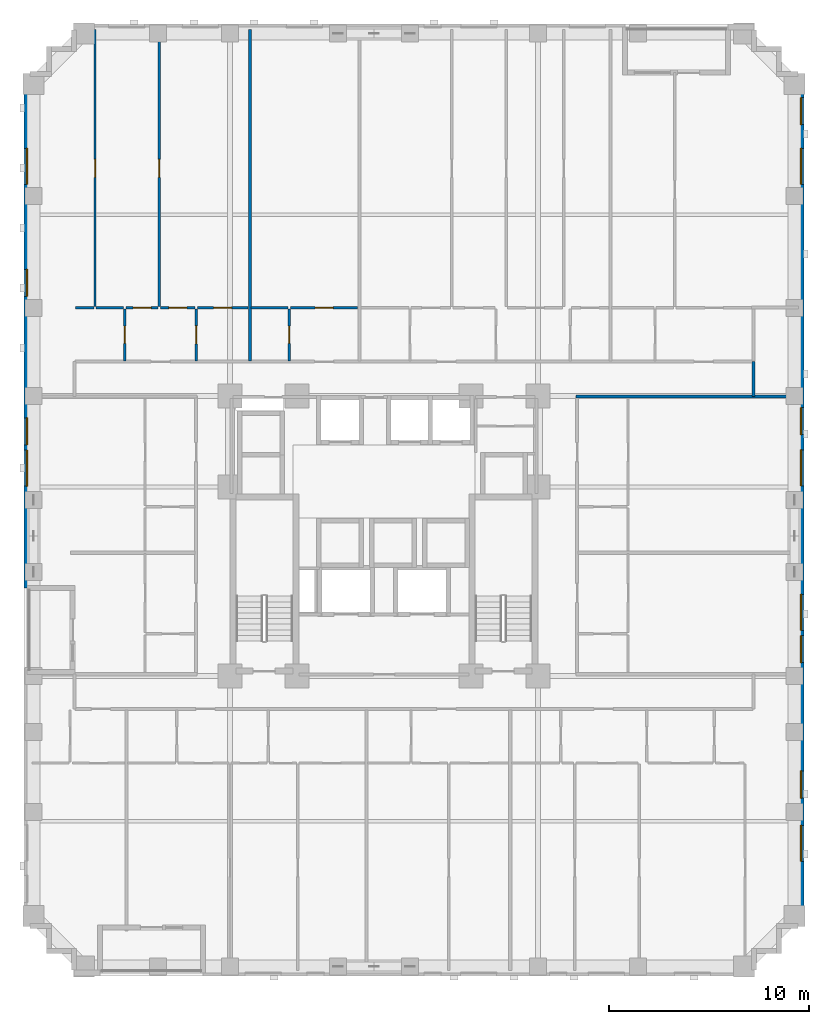
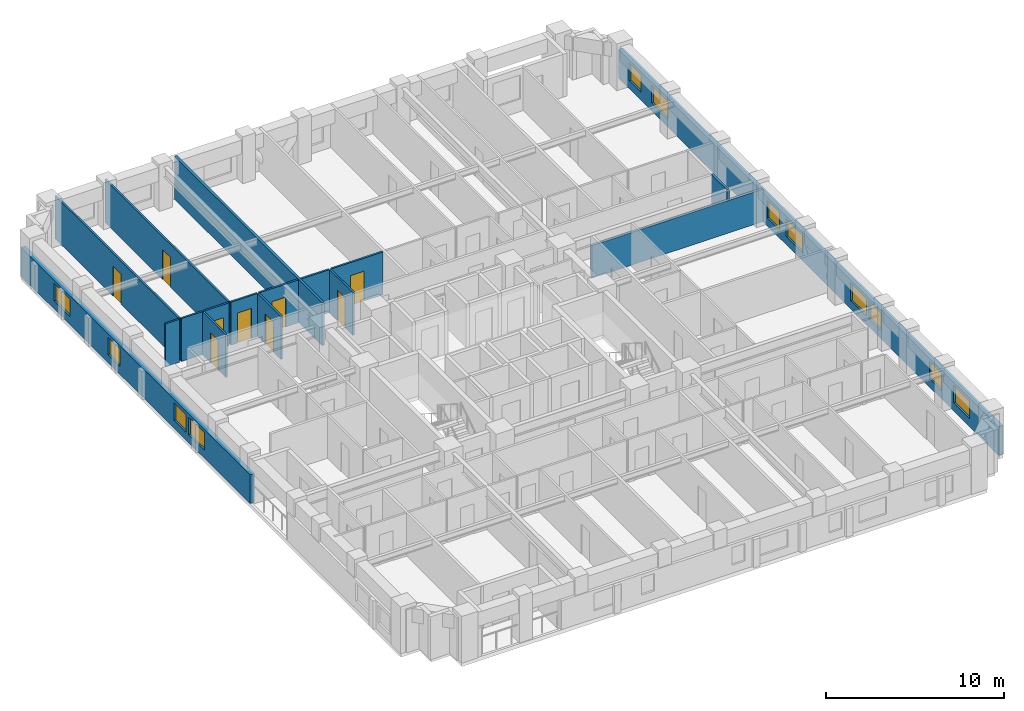
# One storey, part 7 of 14: 17 walls, 12 windows, 9 doors, 21 openings.
"""IFC4 building model written with IfcOpenShell, lengths in metres."""

from ifc_helpers import new_model, si_unit, derived_unit, direction, frame, frame_2d, origin, place, context, subcontext, project, spatial, rectangle, extrude, material, layer, layer_set, type_object, element, fill, save


model = new_model("IFC4")

# Units and contexts
model_context = context("Model", 3, precision=1e-05, world=origin(), true_north=direction((0.0, 1.0)))
body_context = subcontext(model_context, "Body", "Model", "MODEL_VIEW")
ifc_project = project(units=[si_unit("LENGTHUNIT", "METRE"), si_unit("AREAUNIT", "SQUARE_METRE"), si_unit("VOLUMEUNIT", "CUBIC_METRE"), si_unit("PLANEANGLEUNIT", "RADIAN"), si_unit("MASSUNIT", "GRAM", prefix="KILO"), derived_unit("THERMALTRANSMITTANCEUNIT", [(si_unit("MASSUNIT", "GRAM", prefix="KILO"), 1), (si_unit("TIMEUNIT", "SECOND"), -3), (si_unit("THERMODYNAMICTEMPERATUREUNIT", "KELVIN"), -1)])], contexts=[model_context])

# Site, building, storey
site_placement = place(None, origin())
site = spatial("IfcSite", under=ifc_project, at=site_placement, CompositionType="ELEMENT")
building_placement = place(site_placement, origin())
building = spatial("IfcBuilding", under=site, at=building_placement, Name="Korrvale Station Residences", CompositionType="ELEMENT")
storey_placement = place(building_placement, frame((0.0, 0.0, 57.800048828125)))
storey = spatial("IfcBuildingStorey", under=building, at=storey_placement, Name="L15", CompositionType="ELEMENT", Elevation=57.800048828125)

# Wall, openings, windows
ifc_material_1 = material(Name="Precast concrete C45/55", Category="concrete")
ifc_layer_1 = layer(ifc_material_1, 0.300048828125, Name="Precast concrete C45/55")
ifc_layer_set_1 = layer_set([ifc_layer_1], Name="Precast concrete C45/55")
wall_type_1 = type_object("IfcWallType", Name="WAL-EXT-PC300", PredefinedType="SOLIDWALL", material=ifc_layer_set_1)
wall_1_placement = place(storey_placement, frame((46.35009765625, 45.10009765625, 0.0), z_axis=(0.0, 0.0, 1.0), x_axis=(0.0, -1.0, 0.0)))
wall_1 = element("IfcWall", 1, at=wall_1_placement, inside=storey, type_object=wall_type_1, Name="L15 East Exterior Precast Wall 1", PredefinedType="SOLIDWALL", context=body_context, shape_type="SweptSolid", body=[
    extrude(rectangle(XDim=42.60009765625, YDim=0.300048828125, at=frame_2d((21.300048828125, 0.0))), origin(), (0.0, 0.0, 1.0), 1.974853515625),
])
opening_1_placement = place(wall_1_placement, frame((37.574951171875, 0.0, 0.550048828125)))
opening_1 = element("IfcOpeningElement", 2, at=opening_1_placement, cuts=wall_1, Name="Opening W-09", PredefinedType="OPENING", context=body_context, shape_type="SweptSolid", body=[
    extrude(rectangle(XDim=1.800048828125, YDim=1.199951171875, at=frame_2d((0.89990234375, 0.60009765625))), frame((0.0, 0.16015625, 0.0), z_axis=(0.0, -1.0, 0.0), x_axis=(1.0, 0.0, 0.0)), (0.0, 0.0, 1.0), 0.320068359375),
])
opening_2_placement = place(wall_1_placement, frame((34.85009765625, 0.0, 0.550048828125)))
opening_2 = element("IfcOpeningElement", 3, at=opening_2_placement, cuts=wall_1, Name="Opening W-10", PredefinedType="OPENING", context=body_context, shape_type="SweptSolid", body=[
    extrude(rectangle(XDim=1.35009765625, YDim=1.199951171875, at=frame_2d((0.675048828125, 0.60009765625))), frame((0.0, 0.16015625, 0.0), z_axis=(0.0, -1.0, 0.0), x_axis=(1.0, 0.0, 0.0)), (0.0, 0.0, 1.0), 0.320068359375),
])
opening_3_placement = place(wall_1_placement, frame((3.715087890625, 0.0, 0.550048828125)))
opening_3 = element("IfcOpeningElement", 4, at=opening_3_placement, cuts=wall_1, Name="Opening W-09", PredefinedType="OPENING", context=body_context, shape_type="SweptSolid", body=[
    extrude(rectangle(XDim=1.800048828125, YDim=1.199951171875, at=frame_2d((0.89990234375, 0.60009765625))), frame((0.0, 0.16015625, 0.0), z_axis=(0.0, -1.0, 0.0), x_axis=(1.0, 0.0, 0.0)), (0.0, 0.0, 1.0), 0.320068359375),
])
opening_4_placement = place(wall_1_placement, frame((1.18505859375, 0.0, 0.550048828125)))
opening_4 = element("IfcOpeningElement", 5, at=opening_4_placement, cuts=wall_1, Name="Opening W-10", PredefinedType="OPENING", context=body_context, shape_type="SweptSolid", body=[
    extrude(rectangle(XDim=1.35009765625, YDim=1.199951171875, at=frame_2d((0.675048828125, 0.60009765625))), frame((0.0, 0.16015625, 0.0), z_axis=(0.0, -1.0, 0.0), x_axis=(1.0, 0.0, 0.0)), (0.0, 0.0, 1.0), 0.320068359375),
])
opening_5_placement = place(wall_1_placement, frame((26.02490234375, 0.0, 0.550048828125)))
opening_5 = element("IfcOpeningElement", 6, at=opening_5_placement, cuts=wall_1, Name="Opening W-09", PredefinedType="OPENING", context=body_context, shape_type="SweptSolid", body=[
    extrude(rectangle(XDim=1.800048828125, YDim=1.199951171875, at=frame_2d((0.89990234375, 0.60009765625))), frame((0.0, 0.16015625, 0.0), z_axis=(0.0, -1.0, 0.0), x_axis=(1.0, 0.0, 0.0)), (0.0, 0.0, 1.0), 0.320068359375),
])
opening_6_placement = place(wall_1_placement, frame((28.0849609375, 0.0, 0.550048828125)))
opening_6 = element("IfcOpeningElement", 7, at=opening_6_placement, cuts=wall_1, Name="Opening W-10", PredefinedType="OPENING", context=body_context, shape_type="SweptSolid", body=[
    extrude(rectangle(XDim=1.35009765625, YDim=1.199951171875, at=frame_2d((0.675048828125, 0.60009765625))), frame((0.0, 0.16015625, 0.0), z_axis=(0.0, -1.0, 0.0), x_axis=(1.0, 0.0, 0.0)), (0.0, 0.0, 1.0), 0.320068359375),
])
opening_7_placement = place(wall_1_placement, frame((18.800048828125, 0.0, 0.550048828125)))
opening_7 = element("IfcOpeningElement", 8, at=opening_7_placement, cuts=wall_1, Name="Opening W-09", PredefinedType="OPENING", context=body_context, shape_type="SweptSolid", body=[
    extrude(rectangle(XDim=1.800048828125, YDim=1.199951171875, at=frame_2d((0.89990234375, 0.60009765625))), frame((0.0, 0.16015625, 0.0), z_axis=(0.0, -1.0, 0.0), x_axis=(1.0, 0.0, 0.0)), (0.0, 0.0, 1.0), 0.320068359375),
])
opening_8_placement = place(wall_1_placement, frame((16.68505859375, 0.0, 0.550048828125)))
opening_8 = element("IfcOpeningElement", 9, at=opening_8_placement, cuts=wall_1, Name="Opening W-10", PredefinedType="OPENING", context=body_context, shape_type="SweptSolid", body=[
    extrude(rectangle(XDim=1.35009765625, YDim=1.199951171875, at=frame_2d((0.675048828125, 0.60009765625))), frame((0.0, 0.16015625, 0.0), z_axis=(0.0, -1.0, 0.0), x_axis=(1.0, 0.0, 0.0)), (0.0, 0.0, 1.0), 0.320068359375),
])
ifc_material_2 = material(Name="Thermally broken aluminium frame with triple low-e glazing", Category="aluminium")
window_type_1 = type_object("IfcWindowType", Name="WIN-W09", PartitioningType="DOUBLE_PANEL_VERTICAL", PredefinedType="WINDOW", material=ifc_material_2)
window_1_placement = place(opening_1_placement, origin())
window_1 = element("IfcWindow", 10, at=window_1_placement, inside=storey, type_object=window_type_1, Name="L15 Punched Window 11", OverallHeight=1.199951171875, OverallWidth=1.800048828125, PartitioningType="DOUBLE_PANEL_VERTICAL", PredefinedType="WINDOW", context=body_context, shape_type="SweptSolid", body=[
    extrude(rectangle(XDim=1.800048828125, YDim=1.199951171875, at=frame_2d((0.89990234375, 0.60009765625))), frame((0.0, 0.030029296875, 0.0), z_axis=(0.0, -1.0, 0.0), x_axis=(1.0, 0.0, 0.0)), (0.0, 0.0, 1.0), 0.06005859375),
])
fill(opening_1, window_1)
window_2_placement = place(opening_3_placement, origin())
window_2 = element("IfcWindow", 11, at=window_2_placement, inside=storey, type_object=window_type_1, Name="L15 Punched Window 22", OverallHeight=1.199951171875, OverallWidth=1.800048828125, PartitioningType="DOUBLE_PANEL_VERTICAL", PredefinedType="WINDOW", context=body_context, shape_type="SweptSolid", body=[
    extrude(rectangle(XDim=1.800048828125, YDim=1.199951171875, at=frame_2d((0.89990234375, 0.60009765625))), frame((0.0, 0.030029296875, 0.0), z_axis=(0.0, -1.0, 0.0), x_axis=(1.0, 0.0, 0.0)), (0.0, 0.0, 1.0), 0.06005859375),
])
fill(opening_3, window_2)
window_3_placement = place(opening_5_placement, origin())
window_3 = element("IfcWindow", 12, at=window_3_placement, inside=storey, type_object=window_type_1, Name="L15 Punched Window 27", OverallHeight=1.199951171875, OverallWidth=1.800048828125, PartitioningType="DOUBLE_PANEL_VERTICAL", PredefinedType="WINDOW", context=body_context, shape_type="SweptSolid", body=[
    extrude(rectangle(XDim=1.800048828125, YDim=1.199951171875, at=frame_2d((0.89990234375, 0.60009765625))), frame((0.0, 0.030029296875, 0.0), z_axis=(0.0, -1.0, 0.0), x_axis=(1.0, 0.0, 0.0)), (0.0, 0.0, 1.0), 0.06005859375),
])
fill(opening_5, window_3)
window_4_placement = place(opening_7_placement, origin())
window_4 = element("IfcWindow", 13, at=window_4_placement, inside=storey, type_object=window_type_1, Name="L15 Punched Window 29", OverallHeight=1.199951171875, OverallWidth=1.800048828125, PartitioningType="DOUBLE_PANEL_VERTICAL", PredefinedType="WINDOW", context=body_context, shape_type="SweptSolid", body=[
    extrude(rectangle(XDim=1.800048828125, YDim=1.199951171875, at=frame_2d((0.89990234375, 0.60009765625))), frame((0.0, 0.030029296875, 0.0), z_axis=(0.0, -1.0, 0.0), x_axis=(1.0, 0.0, 0.0)), (0.0, 0.0, 1.0), 0.06005859375),
])
fill(opening_7, window_4)
window_type_2 = type_object("IfcWindowType", Name="WIN-W10", PartitioningType="SINGLE_PANEL", PredefinedType="WINDOW", material=ifc_material_2)
window_5_placement = place(opening_2_placement, origin())
window_5 = element("IfcWindow", 14, at=window_5_placement, inside=storey, type_object=window_type_2, Name="L15 Punched Window 12", OverallHeight=1.199951171875, OverallWidth=1.35009765625, PartitioningType="SINGLE_PANEL", PredefinedType="WINDOW", context=body_context, shape_type="SweptSolid", body=[
    extrude(rectangle(XDim=1.35009765625, YDim=1.199951171875, at=frame_2d((0.675048828125, 0.60009765625))), frame((0.0, 0.030029296875, 0.0), z_axis=(0.0, -1.0, 0.0), x_axis=(1.0, 0.0, 0.0)), (0.0, 0.0, 1.0), 0.06005859375),
])
fill(opening_2, window_5)
window_6_placement = place(opening_4_placement, origin())
window_6 = element("IfcWindow", 15, at=window_6_placement, inside=storey, type_object=window_type_2, Name="L15 Punched Window 23", OverallHeight=1.199951171875, OverallWidth=1.35009765625, PartitioningType="SINGLE_PANEL", PredefinedType="WINDOW", context=body_context, shape_type="SweptSolid", body=[
    extrude(rectangle(XDim=1.35009765625, YDim=1.199951171875, at=frame_2d((0.675048828125, 0.60009765625))), frame((0.0, 0.030029296875, 0.0), z_axis=(0.0, -1.0, 0.0), x_axis=(1.0, 0.0, 0.0)), (0.0, 0.0, 1.0), 0.06005859375),
])
fill(opening_4, window_6)
window_7_placement = place(opening_6_placement, origin())
window_7 = element("IfcWindow", 16, at=window_7_placement, inside=storey, type_object=window_type_2, Name="L15 Punched Window 28", OverallHeight=1.199951171875, OverallWidth=1.35009765625, PartitioningType="SINGLE_PANEL", PredefinedType="WINDOW", context=body_context, shape_type="SweptSolid", body=[
    extrude(rectangle(XDim=1.35009765625, YDim=1.199951171875, at=frame_2d((0.675048828125, 0.60009765625))), frame((0.0, 0.030029296875, 0.0), z_axis=(0.0, -1.0, 0.0), x_axis=(1.0, 0.0, 0.0)), (0.0, 0.0, 1.0), 0.06005859375),
])
fill(opening_6, window_7)
window_8_placement = place(opening_8_placement, origin())
window_8 = element("IfcWindow", 17, at=window_8_placement, inside=storey, type_object=window_type_2, Name="L15 Punched Window 30", OverallHeight=1.199951171875, OverallWidth=1.35009765625, PartitioningType="SINGLE_PANEL", PredefinedType="WINDOW", context=body_context, shape_type="SweptSolid", body=[
    extrude(rectangle(XDim=1.35009765625, YDim=1.199951171875, at=frame_2d((0.675048828125, 0.60009765625))), frame((0.0, 0.030029296875, 0.0), z_axis=(0.0, -1.0, 0.0), x_axis=(1.0, 0.0, 0.0)), (0.0, 0.0, 1.0), 0.06005859375),
])
fill(opening_8, window_8)

wall_2_placement = place(storey_placement, frame((7.64990234375, 19.39990234375, 0.0), z_axis=(0.0, 0.0, 1.0), x_axis=(0.0, 1.0, 0.0)))
wall_2 = element("IfcWall", 18, at=wall_2_placement, inside=storey, type_object=wall_type_1, Name="L15 West Exterior Precast Wall 2", PredefinedType="SOLIDWALL", context=body_context, shape_type="SweptSolid", body=[
    extrude(rectangle(XDim=25.7001953125, YDim=0.300048828125, at=frame_2d((12.85009765625, 0.0))), origin(), (0.0, 0.0, 1.0), 1.974853515625),
])
opening_9_placement = place(wall_2_placement, frame((20.18505859375, 0.0, 0.550048828125)))
opening_9 = element("IfcOpeningElement", 19, at=opening_9_placement, cuts=wall_2, Name="Opening W-09", PredefinedType="OPENING", context=body_context, shape_type="SweptSolid", body=[
    extrude(rectangle(XDim=1.800048828125, YDim=1.199951171875, at=frame_2d((0.89990234375, 0.60009765625))), frame((0.0, 0.16015625, 0.0), z_axis=(0.0, -1.0, 0.0), x_axis=(1.0, 0.0, 0.0)), (0.0, 0.0, 1.0), 0.320068359375),
])
opening_10_placement = place(wall_2_placement, frame((14.5849609375, 0.0, 0.550048828125)))
opening_10 = element("IfcOpeningElement", 20, at=opening_10_placement, cuts=wall_2, Name="Opening W-10", PredefinedType="OPENING", context=body_context, shape_type="SweptSolid", body=[
    extrude(rectangle(XDim=1.35009765625, YDim=1.199951171875, at=frame_2d((0.675048828125, 0.60009765625))), frame((0.0, 0.16015625, 0.0), z_axis=(0.0, -1.0, 0.0), x_axis=(1.0, 0.0, 0.0)), (0.0, 0.0, 1.0), 0.320068359375),
])
opening_11_placement = place(wall_2_placement, frame((5.10009765625, 0.0, 0.550048828125)))
opening_11 = element("IfcOpeningElement", 21, at=opening_11_placement, cuts=wall_2, Name="Opening W-09", PredefinedType="OPENING", context=body_context, shape_type="SweptSolid", body=[
    extrude(rectangle(XDim=1.800048828125, YDim=1.199951171875, at=frame_2d((0.89990234375, 0.60009765625))), frame((0.0, 0.16015625, 0.0), z_axis=(0.0, -1.0, 0.0), x_axis=(1.0, 0.0, 0.0)), (0.0, 0.0, 1.0), 0.320068359375),
])
opening_12_placement = place(wall_2_placement, frame((7.159912109375, 0.0, 0.550048828125)))
opening_12 = element("IfcOpeningElement", 22, at=opening_12_placement, cuts=wall_2, Name="Opening W-10", PredefinedType="OPENING", context=body_context, shape_type="SweptSolid", body=[
    extrude(rectangle(XDim=1.35009765625, YDim=1.199951171875, at=frame_2d((0.675048828125, 0.60009765625))), frame((0.0, 0.16015625, 0.0), z_axis=(0.0, -1.0, 0.0), x_axis=(1.0, 0.0, 0.0)), (0.0, 0.0, 1.0), 0.320068359375),
])
window_9_placement = place(opening_9_placement, origin())
window_9 = element("IfcWindow", 23, at=window_9_placement, inside=storey, type_object=window_type_1, Name="L15 Punched Window 13", OverallHeight=1.199951171875, OverallWidth=1.800048828125, PartitioningType="DOUBLE_PANEL_VERTICAL", PredefinedType="WINDOW", context=body_context, shape_type="SweptSolid", body=[
    extrude(rectangle(XDim=1.800048828125, YDim=1.199951171875, at=frame_2d((0.89990234375, 0.60009765625))), frame((0.0, 0.030029296875, 0.0), z_axis=(0.0, -1.0, 0.0), x_axis=(1.0, 0.0, 0.0)), (0.0, 0.0, 1.0), 0.06005859375),
])
fill(opening_9, window_9)
window_10_placement = place(opening_11_placement, origin())
window_10 = element("IfcWindow", 24, at=window_10_placement, inside=storey, type_object=window_type_1, Name="L15 Punched Window 25", OverallHeight=1.199951171875, OverallWidth=1.800048828125, PartitioningType="DOUBLE_PANEL_VERTICAL", PredefinedType="WINDOW", context=body_context, shape_type="SweptSolid", body=[
    extrude(rectangle(XDim=1.800048828125, YDim=1.199951171875, at=frame_2d((0.89990234375, 0.60009765625))), frame((0.0, 0.030029296875, 0.0), z_axis=(0.0, -1.0, 0.0), x_axis=(1.0, 0.0, 0.0)), (0.0, 0.0, 1.0), 0.06005859375),
])
fill(opening_11, window_10)
window_11_placement = place(opening_10_placement, origin())
window_11 = element("IfcWindow", 25, at=window_11_placement, inside=storey, type_object=window_type_2, Name="L15 Punched Window 14", OverallHeight=1.199951171875, OverallWidth=1.35009765625, PartitioningType="SINGLE_PANEL", PredefinedType="WINDOW", context=body_context, shape_type="SweptSolid", body=[
    extrude(rectangle(XDim=1.35009765625, YDim=1.199951171875, at=frame_2d((0.675048828125, 0.60009765625))), frame((0.0, 0.030029296875, 0.0), z_axis=(0.0, -1.0, 0.0), x_axis=(1.0, 0.0, 0.0)), (0.0, 0.0, 1.0), 0.06005859375),
])
fill(opening_10, window_11)
window_12_placement = place(opening_12_placement, origin())
window_12 = element("IfcWindow", 26, at=window_12_placement, inside=storey, type_object=window_type_2, Name="L15 Punched Window 26", OverallHeight=1.199951171875, OverallWidth=1.35009765625, PartitioningType="SINGLE_PANEL", PredefinedType="WINDOW", context=body_context, shape_type="SweptSolid", body=[
    extrude(rectangle(XDim=1.35009765625, YDim=1.199951171875, at=frame_2d((0.675048828125, 0.60009765625))), frame((0.0, 0.030029296875, 0.0), z_axis=(0.0, -1.0, 0.0), x_axis=(1.0, 0.0, 0.0)), (0.0, 0.0, 1.0), 0.06005859375),
])
fill(opening_12, window_12)

# Wall, opening, door
ifc_material_3 = material(Name="Acoustic steel-stud gypsum board partition", Category="steel")
ifc_layer_2 = layer(ifc_material_3, 0.1201171875, Name="Acoustic steel-stud gypsum board partition")
ifc_layer_set_2 = layer_set([ifc_layer_2], Name="Acoustic steel-stud gypsum board partition")
wall_type_2 = type_object("IfcWallType", Name="WAL-PART-125", PredefinedType="PARTITIONING", material=ifc_layer_set_2)
wall_3_placement = place(storey_placement, frame((12.5400390625, 30.760009765625, 0.0), z_axis=(0.0, 0.0, 1.0), x_axis=(0.0, 1.0, 0.0)))
wall_3 = element("IfcWall", 27, at=wall_3_placement, inside=storey, type_object=wall_type_2, Name="L15 Suite Partition U05-V01", PredefinedType="PARTITIONING", context=body_context, shape_type="SweptSolid", body=[
    extrude(rectangle(XDim=2.60009765625, YDim=0.1201171875, at=frame_2d((1.300048828125, 0.0))), origin(), (0.0, 0.0, 1.0), 2.93994140625),
])
opening_13_placement = place(wall_3_placement, frame((0.8701171875, 0.0, 0.0)))
opening_13 = element("IfcOpeningElement", 28, at=opening_13_placement, cuts=wall_3, Name="Opening DB-860", PredefinedType="OPENING", context=body_context, shape_type="SweptSolid", body=[
    extrude(rectangle(XDim=0.860107421875, YDim=2.050048828125, at=frame_2d((0.43017578125, 1.02490234375))), frame((0.0, 0.070068359375, 0.0), z_axis=(0.0, -1.0, 0.0), x_axis=(1.0, 0.0, 0.0)), (0.0, 0.0, 1.0), 0.14013671875),
])
ifc_material_4 = material(Name="Moisture-resistant solid-core bathroom door", Category="timber")
door_type_1 = type_object("IfcDoorType", Name="DR-BATH-860", OperationType="NOTDEFINED", PredefinedType="DOOR", material=ifc_material_4)
door_1_placement = place(opening_13_placement, origin())
door_1 = element("IfcDoor", 29, at=door_1_placement, inside=storey, type_object=door_type_1, Name="L15 Studio Apartment L15-U05 Bathroom Door", OperationType="SINGLE_SWING_LEFT", OverallHeight=2.050048828125, OverallWidth=0.860107421875, PredefinedType="DOOR", context=body_context, shape_type="SweptSolid", body=[
    extrude(rectangle(XDim=0.860107421875, YDim=2.050048828125, at=frame_2d((0.43017578125, 1.02490234375))), frame((0.0, 0.02490234375, 0.0), z_axis=(0.0, -1.0, 0.0), x_axis=(1.0, 0.0, 0.0)), (0.0, 0.0, 1.0), 0.050048828125),
])
fill(opening_13, door_1)

# Walls
wall_4_placement = place(storey_placement, frame((10.080078125, 33.419921875, 0.0), z_axis=(0.0, 0.0, 1.0), x_axis=(1.0, 0.0, 0.0)))
element("IfcWall", 30, at=wall_4_placement, inside=storey, type_object=wall_type_2, Name="L15 Suite Partition U05-H03", PredefinedType="PARTITIONING", context=body_context, shape_type="SweptSolid", body=[
    extrude(rectangle(XDim=0.909912109375, YDim=0.1201171875, at=frame_2d((0.455078125, 0.0))), origin(), (0.0, 0.0, 1.0), 2.93994140625),
])
wall_5_placement = place(storey_placement, frame((11.110107421875, 33.419921875, 0.0), z_axis=(0.0, 0.0, 1.0), x_axis=(1.0, 0.0, 0.0)))
element("IfcWall", 31, at=wall_5_placement, inside=storey, type_object=wall_type_2, Name="L15 Suite Partition U05-H04", PredefinedType="PARTITIONING", context=body_context, shape_type="SweptSolid", body=[
    extrude(rectangle(XDim=1.369873046875, YDim=0.1201171875, at=frame_2d((0.68505859375, 0.0))), origin(), (0.0, 0.0, 1.0), 2.93994140625),
])

# Wall, opening, door
wall_6_placement = place(storey_placement, frame((16.110107421875, 30.760009765625, 0.0), z_axis=(0.0, 0.0, 1.0), x_axis=(0.0, 1.0, 0.0)))
wall_6 = element("IfcWall", 32, at=wall_6_placement, inside=storey, type_object=wall_type_2, Name="L15 Suite Partition U05-V12", PredefinedType="PARTITIONING", context=body_context, shape_type="SweptSolid", body=[
    extrude(rectangle(XDim=2.60009765625, YDim=0.1201171875, at=frame_2d((1.300048828125, 0.0))), origin(), (0.0, 0.0, 1.0), 2.93994140625),
])
opening_14_placement = place(wall_6_placement, frame((0.85009765625, 0.0, 0.0)))
opening_14 = element("IfcOpeningElement", 33, at=opening_14_placement, cuts=wall_6, Name="Opening DI-900", PredefinedType="OPENING", context=body_context, shape_type="SweptSolid", body=[
    extrude(rectangle(XDim=0.89990234375, YDim=2.050048828125, at=frame_2d((0.449951171875, 1.02490234375))), frame((0.0, 0.070068359375, 0.0), z_axis=(0.0, -1.0, 0.0), x_axis=(1.0, 0.0, 0.0)), (0.0, 0.0, 1.0), 0.14013671875),
])
ifc_material_5 = material(Name="Painted solid-core timber interior room door", Category="wood")
door_type_2 = type_object("IfcDoorType", Name="DR-INT-900", OperationType="NOTDEFINED", PredefinedType="DOOR", material=ifc_material_5)
door_2_placement = place(opening_14_placement, origin())
door_2 = element("IfcDoor", 34, at=door_2_placement, inside=storey, type_object=door_type_2, Name="L15 Studio Apartment L15-U05 Kitchen Door", OperationType="SINGLE_SWING_RIGHT", OverallHeight=2.050048828125, OverallWidth=0.89990234375, PredefinedType="DOOR", context=body_context, shape_type="SweptSolid", body=[
    extrude(rectangle(XDim=0.89990234375, YDim=2.050048828125, at=frame_2d((0.449951171875, 1.02490234375))), frame((0.0, 0.02490234375, 0.0), z_axis=(0.0, -1.0, 0.0), x_axis=(1.0, 0.0, 0.0)), (0.0, 0.0, 1.0), 0.050048828125),
])
fill(opening_14, door_2)

wall_7_placement = place(storey_placement, frame((12.60009765625, 33.419921875, 0.0), z_axis=(0.0, 0.0, 1.0), x_axis=(1.0, 0.0, 0.0)))
wall_7 = element("IfcWall", 35, at=wall_7_placement, inside=storey, type_object=wall_type_2, Name="L15 Suite Partition U05-H14", PredefinedType="PARTITIONING", context=body_context, shape_type="SweptSolid", body=[
    extrude(rectangle(XDim=1.60986328125, YDim=0.1201171875, at=frame_2d((0.804931640625, 0.0))), origin(), (0.0, 0.0, 1.0), 2.93994140625),
])
opening_15_placement = place(wall_7_placement, frame((0.35498046875, 0.0, 0.0)))
opening_15 = element("IfcOpeningElement", 36, at=opening_15_placement, cuts=wall_7, Name="Opening DI-900", PredefinedType="OPENING", context=body_context, shape_type="SweptSolid", body=[
    extrude(rectangle(XDim=0.89990234375, YDim=2.050048828125, at=frame_2d((0.449951171875, 1.02490234375))), frame((0.0, 0.070068359375, 0.0), z_axis=(0.0, -1.0, 0.0), x_axis=(1.0, 0.0, 0.0)), (0.0, 0.0, 1.0), 0.14013671875),
])
door_3_placement = place(opening_15_placement, origin())
door_3 = element("IfcDoor", 37, at=door_3_placement, inside=storey, type_object=door_type_2, Name="L15 Studio Apartment L15-U05 Kitchen Door", OperationType="SINGLE_SWING_LEFT", OverallHeight=2.050048828125, OverallWidth=0.89990234375, PredefinedType="DOOR", context=body_context, shape_type="SweptSolid", body=[
    extrude(rectangle(XDim=0.89990234375, YDim=2.050048828125, at=frame_2d((0.449951171875, 1.02490234375))), frame((0.0, 0.02490234375, 0.0), z_axis=(0.0, -1.0, 0.0), x_axis=(1.0, 0.0, 0.0)), (0.0, 0.0, 1.0), 0.050048828125),
])
fill(opening_15, door_3)

wall_8_placement = place(storey_placement, frame((14.330078125, 33.419921875, 0.0), z_axis=(0.0, 0.0, 1.0), x_axis=(1.0, 0.0, 0.0)))
wall_8 = element("IfcWall", 38, at=wall_8_placement, inside=storey, type_object=wall_type_2, Name="L15 Suite Partition U05-H15", PredefinedType="PARTITIONING", context=body_context, shape_type="SweptSolid", body=[
    extrude(rectangle(XDim=1.719970703125, YDim=0.1201171875, at=frame_2d((0.85986328125, 0.0))), origin(), (0.0, 0.0, 1.0), 2.93994140625),
])
opening_16_placement = place(wall_8_placement, frame((0.409912109375, 0.0, 0.0)))
opening_16 = element("IfcOpeningElement", 39, at=opening_16_placement, cuts=wall_8, Name="Opening DI-900", PredefinedType="OPENING", context=body_context, shape_type="SweptSolid", body=[
    extrude(rectangle(XDim=0.89990234375, YDim=2.050048828125, at=frame_2d((0.449951171875, 1.02490234375))), frame((0.0, 0.070068359375, 0.0), z_axis=(0.0, -1.0, 0.0), x_axis=(1.0, 0.0, 0.0)), (0.0, 0.0, 1.0), 0.14013671875),
])
door_4_placement = place(opening_16_placement, origin())
door_4 = element("IfcDoor", 40, at=door_4_placement, inside=storey, type_object=door_type_2, Name="L15 Studio Apartment L15-U05 Kitchen Door", OperationType="SINGLE_SWING_RIGHT", OverallHeight=2.050048828125, OverallWidth=0.89990234375, PredefinedType="DOOR", context=body_context, shape_type="SweptSolid", body=[
    extrude(rectangle(XDim=0.89990234375, YDim=2.050048828125, at=frame_2d((0.449951171875, 1.02490234375))), frame((0.0, 0.02490234375, 0.0), z_axis=(0.0, -1.0, 0.0), x_axis=(1.0, 0.0, 0.0)), (0.0, 0.0, 1.0), 0.050048828125),
])
fill(opening_16, door_4)

wall_9_placement = place(storey_placement, frame((16.169921875, 33.419921875, 0.0), z_axis=(0.0, 0.0, 1.0), x_axis=(1.0, 0.0, 0.0)))
wall_9 = element("IfcWall", 41, at=wall_9_placement, inside=storey, type_object=wall_type_2, Name="L15 Suite Partition U05-H25", PredefinedType="PARTITIONING", context=body_context, shape_type="SweptSolid", body=[
    extrude(rectangle(XDim=2.526123046875, YDim=0.1201171875, at=frame_2d((1.26318359375, 0.0))), origin(), (0.0, 0.0, 1.0), 2.93994140625),
])
opening_17_placement = place(wall_9_placement, frame((0.81298828125, 0.0, 0.0)))
opening_17 = element("IfcOpeningElement", 42, at=opening_17_placement, cuts=wall_9, Name="Opening DI-900", PredefinedType="OPENING", context=body_context, shape_type="SweptSolid", body=[
    extrude(rectangle(XDim=0.89990234375, YDim=2.050048828125, at=frame_2d((0.449951171875, 1.02490234375))), frame((0.0, 0.070068359375, 0.0), z_axis=(0.0, -1.0, 0.0), x_axis=(1.0, 0.0, 0.0)), (0.0, 0.0, 1.0), 0.14013671875),
])
door_5_placement = place(opening_17_placement, origin())
door_5 = element("IfcDoor", 43, at=door_5_placement, inside=storey, type_object=door_type_2, Name="L15 Studio Apartment L15-U05 Utility and Laundry Room Door", OperationType="SINGLE_SWING_LEFT", OverallHeight=2.050048828125, OverallWidth=0.89990234375, PredefinedType="DOOR", context=body_context, shape_type="SweptSolid", body=[
    extrude(rectangle(XDim=0.89990234375, YDim=2.050048828125, at=frame_2d((0.449951171875, 1.02490234375))), frame((0.0, 0.02490234375, 0.0), z_axis=(0.0, -1.0, 0.0), x_axis=(1.0, 0.0, 0.0)), (0.0, 0.0, 1.0), 0.050048828125),
])
fill(opening_17, door_5)

wall_10_placement = place(storey_placement, frame((11.050048828125, 33.47998046875, 0.0), z_axis=(0.0, 0.0, 1.0), x_axis=(0.0, 1.0, 0.0)))
wall_10 = element("IfcWall", 44, at=wall_10_placement, inside=storey, type_object=wall_type_2, Name="L15 Suite Partition U05-V34", PredefinedType="PARTITIONING", context=body_context, shape_type="SweptSolid", body=[
    extrude(rectangle(XDim=13.840087890625, YDim=0.1201171875, at=frame_2d((6.919921875, 0.0))), origin(), (0.0, 0.0, 1.0), 2.93994140625),
])
opening_18_placement = place(wall_10_placement, frame((6.455078125, 0.0, 0.0)))
opening_18 = element("IfcOpeningElement", 45, at=opening_18_placement, cuts=wall_10, Name="Opening DI-900", PredefinedType="OPENING", context=body_context, shape_type="SweptSolid", body=[
    extrude(rectangle(XDim=0.89990234375, YDim=2.050048828125, at=frame_2d((0.449951171875, 1.02490234375))), frame((0.0, 0.070068359375, 0.0), z_axis=(0.0, -1.0, 0.0), x_axis=(1.0, 0.0, 0.0)), (0.0, 0.0, 1.0), 0.14013671875),
])
door_6_placement = place(opening_18_placement, origin())
door_6 = element("IfcDoor", 46, at=door_6_placement, inside=storey, type_object=door_type_2, Name="L15 Studio Apartment L15-U05 Walk-In Wardrobe Door", OperationType="SINGLE_SWING_RIGHT", OverallHeight=2.050048828125, OverallWidth=0.89990234375, PredefinedType="DOOR", context=body_context, shape_type="SweptSolid", body=[
    extrude(rectangle(XDim=0.89990234375, YDim=2.050048828125, at=frame_2d((0.449951171875, 1.02490234375))), frame((0.0, 0.02490234375, 0.0), z_axis=(0.0, -1.0, 0.0), x_axis=(1.0, 0.0, 0.0)), (0.0, 0.0, 1.0), 0.050048828125),
])
fill(opening_18, door_6)

wall_11_placement = place(storey_placement, frame((14.27001953125, 33.47998046875, 0.0), z_axis=(0.0, 0.0, 1.0), x_axis=(0.0, 1.0, 0.0)))
wall_11 = element("IfcWall", 47, at=wall_11_placement, inside=storey, type_object=wall_type_2, Name="L15 Suite Partition U05-V45", PredefinedType="PARTITIONING", context=body_context, shape_type="SweptSolid", body=[
    extrude(rectangle(XDim=13.840087890625, YDim=0.1201171875, at=frame_2d((6.919921875, 0.0))), origin(), (0.0, 0.0, 1.0), 2.93994140625),
])
opening_19_placement = place(wall_11_placement, frame((6.455078125, 0.0, 0.0)))
opening_19 = element("IfcOpeningElement", 48, at=opening_19_placement, cuts=wall_11, Name="Opening DI-900", PredefinedType="OPENING", context=body_context, shape_type="SweptSolid", body=[
    extrude(rectangle(XDim=0.89990234375, YDim=2.050048828125, at=frame_2d((0.449951171875, 1.02490234375))), frame((0.0, 0.070068359375, 0.0), z_axis=(0.0, -1.0, 0.0), x_axis=(1.0, 0.0, 0.0)), (0.0, 0.0, 1.0), 0.14013671875),
])
door_7_placement = place(opening_19_placement, origin())
door_7 = element("IfcDoor", 49, at=door_7_placement, inside=storey, type_object=door_type_2, Name="L15 Studio Apartment L15-U05 Walk-In Wardrobe Door", OperationType="SINGLE_SWING_LEFT", OverallHeight=2.050048828125, OverallWidth=0.89990234375, PredefinedType="DOOR", context=body_context, shape_type="SweptSolid", body=[
    extrude(rectangle(XDim=0.89990234375, YDim=2.050048828125, at=frame_2d((0.449951171875, 1.02490234375))), frame((0.0, 0.02490234375, 0.0), z_axis=(0.0, -1.0, 0.0), x_axis=(1.0, 0.0, 0.0)), (0.0, 0.0, 1.0), 0.050048828125),
])
fill(opening_19, door_7)

wall_12_placement = place(storey_placement, frame((20.76611328125, 30.760009765625, 0.0), z_axis=(0.0, 0.0, 1.0), x_axis=(0.0, 1.0, 0.0)))
wall_12 = element("IfcWall", 50, at=wall_12_placement, inside=storey, type_object=wall_type_2, Name="L15 Suite Partition U06-V01", PredefinedType="PARTITIONING", context=body_context, shape_type="SweptSolid", body=[
    extrude(rectangle(XDim=2.60009765625, YDim=0.1201171875, at=frame_2d((1.300048828125, 0.0))), origin(), (0.0, 0.0, 1.0), 2.93994140625),
])
opening_20_placement = place(wall_12_placement, frame((0.8701171875, 0.0, 0.0)))
opening_20 = element("IfcOpeningElement", 51, at=opening_20_placement, cuts=wall_12, Name="Opening DB-860", PredefinedType="OPENING", context=body_context, shape_type="SweptSolid", body=[
    extrude(rectangle(XDim=0.860107421875, YDim=2.050048828125, at=frame_2d((0.43017578125, 1.02490234375))), frame((0.0, 0.070068359375, 0.0), z_axis=(0.0, -1.0, 0.0), x_axis=(1.0, 0.0, 0.0)), (0.0, 0.0, 1.0), 0.14013671875),
])
door_8_placement = place(opening_20_placement, origin())
door_8 = element("IfcDoor", 52, at=door_8_placement, inside=storey, type_object=door_type_1, Name="L15 Studio Apartment L15-U06 Bathroom Door", OperationType="SINGLE_SWING_RIGHT", OverallHeight=2.050048828125, OverallWidth=0.860107421875, PredefinedType="DOOR", context=body_context, shape_type="SweptSolid", body=[
    extrude(rectangle(XDim=0.860107421875, YDim=2.050048828125, at=frame_2d((0.43017578125, 1.02490234375))), frame((0.0, 0.02490234375, 0.0), z_axis=(0.0, -1.0, 0.0), x_axis=(1.0, 0.0, 0.0)), (0.0, 0.0, 1.0), 0.050048828125),
])
fill(opening_20, door_8)

# Wall
wall_13_placement = place(storey_placement, frame((18.85595703125, 33.419921875, 0.0), z_axis=(0.0, 0.0, 1.0), x_axis=(1.0, 0.0, 0.0)))
element("IfcWall", 53, at=wall_13_placement, inside=storey, type_object=wall_type_2, Name="L15 Suite Partition U06-H02", PredefinedType="PARTITIONING", context=body_context, shape_type="SweptSolid", body=[
    extrude(rectangle(XDim=1.85009765625, YDim=0.1201171875, at=frame_2d((0.925048828125, 0.0))), origin(), (0.0, 0.0, 1.0), 2.93994140625),
])

# Wall, opening, door
wall_14_placement = place(storey_placement, frame((20.825927734375, 33.419921875, 0.0), z_axis=(0.0, 0.0, 1.0), x_axis=(1.0, 0.0, 0.0)))
wall_14 = element("IfcWall", 54, at=wall_14_placement, inside=storey, type_object=wall_type_2, Name="L15 Suite Partition U06-H12", PredefinedType="PARTITIONING", context=body_context, shape_type="SweptSolid", body=[
    extrude(rectangle(XDim=3.35302734375, YDim=0.1201171875, at=frame_2d((1.676513671875, 0.0))), origin(), (0.0, 0.0, 1.0), 2.93994140625),
])
opening_21_placement = place(wall_14_placement, frame((1.22607421875, 0.0, 0.0)))
opening_21 = element("IfcOpeningElement", 55, at=opening_21_placement, cuts=wall_14, Name="Opening DI-900", PredefinedType="OPENING", context=body_context, shape_type="SweptSolid", body=[
    extrude(rectangle(XDim=0.89990234375, YDim=2.050048828125, at=frame_2d((0.449951171875, 1.02490234375))), frame((0.0, 0.070068359375, 0.0), z_axis=(0.0, -1.0, 0.0), x_axis=(1.0, 0.0, 0.0)), (0.0, 0.0, 1.0), 0.14013671875),
])
door_9_placement = place(opening_21_placement, origin())
door_9 = element("IfcDoor", 56, at=door_9_placement, inside=storey, type_object=door_type_2, Name="L15 Studio Apartment L15-U06 Kitchen Door", OperationType="SINGLE_SWING_LEFT", OverallHeight=2.050048828125, OverallWidth=0.89990234375, PredefinedType="DOOR", context=body_context, shape_type="SweptSolid", body=[
    extrude(rectangle(XDim=0.89990234375, YDim=2.050048828125, at=frame_2d((0.449951171875, 1.02490234375))), frame((0.0, 0.02490234375, 0.0), z_axis=(0.0, -1.0, 0.0), x_axis=(1.0, 0.0, 0.0)), (0.0, 0.0, 1.0), 0.050048828125),
])
fill(opening_21, door_9)

# Walls
ifc_material_6 = material(Name="Fire-rated twin-stud gypsum and mineral wool shaftwall assembly", Category="gypsum")
ifc_layer_3 = layer(ifc_material_6, 0.159912109375, Name="Fire-rated twin-stud gypsum and mineral wool shaftwall assembly")
ifc_layer_set_3 = layer_set([ifc_layer_3], Name="Fire-rated twin-stud gypsum and mineral wool shaftwall assembly")
wall_type_3 = type_object("IfcWallType", Name="WAL-PART-200", PredefinedType="PARTITIONING", material=ifc_layer_set_3)
wall_15_placement = place(storey_placement, frame((43.97998046875, 28.97998046875, 0.0), z_axis=(0.0, 0.0, 1.0), x_axis=(0.0, 1.0, 0.0)))
element("IfcWall", 57, at=wall_15_placement, inside=storey, type_object=wall_type_3, Name="L15 Corridor North East Cap", PredefinedType="PARTITIONING", context=body_context, shape_type="SweptSolid", body=[
    extrude(rectangle(XDim=1.739990234375, YDim=0.159912109375, at=frame_2d((0.8701171875, 0.0))), origin(), (0.0, 0.0, 1.0), 2.93994140625),
])
wall_16_placement = place(storey_placement, frame((35.110107421875, 28.97998046875, 0.0), z_axis=(0.0, 0.0, 1.0), x_axis=(1.0, 0.0, 0.0)))
element("IfcWall", 58, at=wall_16_placement, inside=storey, type_object=wall_type_3, Name="L15 East Wing North Corridor Wall", PredefinedType="PARTITIONING", context=body_context, shape_type="SweptSolid", body=[
    extrude(rectangle(XDim=11.10986328125, YDim=0.159912109375, at=frame_2d((5.554931640625, 0.0))), origin(), (0.0, 0.0, 1.0), 2.23193359375),
])
wall_17_placement = place(storey_placement, frame((18.7958984375, 30.760009765625, 0.0), z_axis=(0.0, 0.0, 1.0), x_axis=(0.0, 1.0, 0.0)))
element("IfcWall", 59, at=wall_17_placement, inside=storey, type_object=wall_type_3, Name="L15 Demising Wall U06-W", PredefinedType="PARTITIONING", context=body_context, shape_type="SweptSolid", body=[
    extrude(rectangle(XDim=16.56005859375, YDim=0.159912109375, at=frame_2d((8.280029296875, 0.0))), origin(), (0.0, 0.0, 1.0), 2.93994140625),
])

save(model, "model.ifc")
